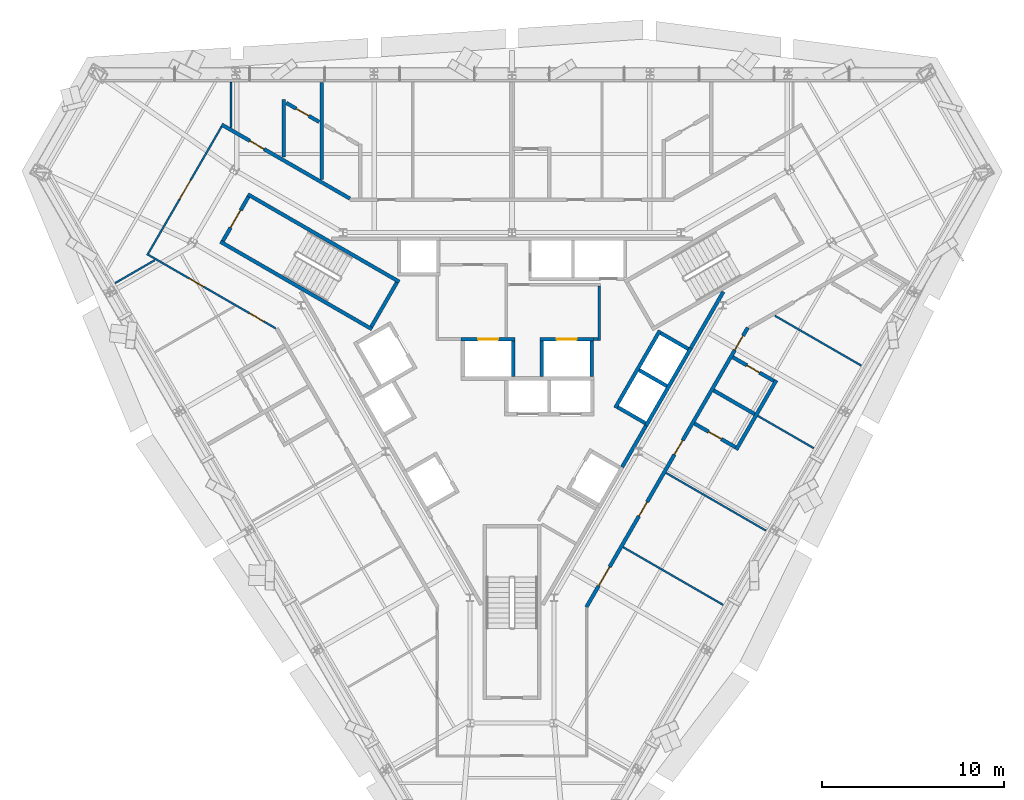
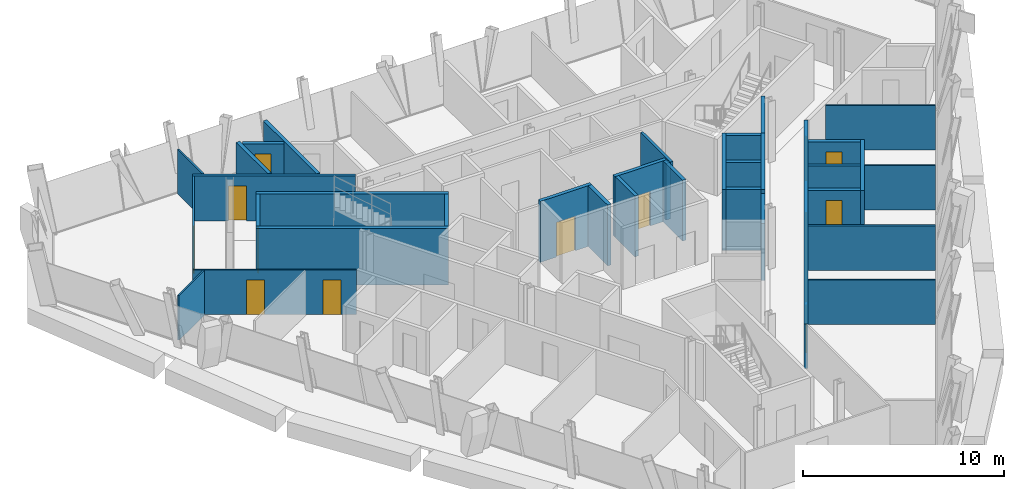
# One storey, part 7 of 11: 35 walls, 14 doors, 14 openings.
"""IFC4 building model written with IfcOpenShell, lengths in metres."""

from ifc_helpers import new_model, si_unit, direction, frame, frame_2d, origin, place, context, subcontext, project, spatial, rectangle, extrude, material, layer, layer_set, type_object, element, fill, save


model = new_model("IFC4")

# Units and contexts
model_context = context("Model", 3, precision=1e-05, world=origin(), true_north=direction((0.0, 1.0)))
body_context = subcontext(model_context, "Body", "Model", "MODEL_VIEW")
ifc_project = project(units=[si_unit("LENGTHUNIT", "METRE"), si_unit("AREAUNIT", "SQUARE_METRE"), si_unit("VOLUMEUNIT", "CUBIC_METRE"), si_unit("PLANEANGLEUNIT", "RADIAN"), si_unit("MASSUNIT", "GRAM", prefix="KILO")], contexts=[model_context])

# Site, building, storey
site_placement = place(None, origin())
site = spatial("IfcSite", under=ifc_project, at=site_placement, CompositionType="ELEMENT")
building_placement = place(site_placement, origin())
building = spatial("IfcBuilding", under=site, at=building_placement, Name="Verrane Prism Tower", CompositionType="ELEMENT")
storey_placement = place(building_placement, frame((0.0, 0.0, 156.199951171875)))
storey = spatial("IfcBuildingStorey", under=building, at=storey_placement, Name="L38", CompositionType="ELEMENT", Elevation=156.199951171875)

# Walls
ifc_material_1 = material(Name="Gypsum board partition", Category="other")
ifc_layer_1 = layer(ifc_material_1, 0.199951171875)
ifc_layer_set_1 = layer_set([ifc_layer_1], Name="CW-200 core boundary wall 2 h")
wall_type_1 = type_object("IfcWallType", Name="CW-200 core boundary wall 2 h", PredefinedType="PARTITIONING", material=ifc_layer_set_1)
wall_1_placement = place(storey_placement, frame((6.0419921875, -4.85498046875, 0.0), z_axis=(0.0, 0.0, 1.0), x_axis=(0.500252727967, 0.865879442048, 0.0)))
element("IfcWall", 1, at=wall_1_placement, inside=storey, type_object=wall_type_1, Name="Core boundary wall CW3-007", PredefinedType="PARTITIONING", context=body_context, shape_type="SweptSolid", body=[
    extrude(rectangle(XDim=2.616943359375, YDim=0.199951171875, at=frame_2d((1.30859375, 0.0))), origin(), (0.0, 0.0, 1.0), 3.449951171875),
])
wall_2_placement = place(storey_placement, frame((9.802978515625, 1.657958984375, 0.0), z_axis=(0.0, 0.0, 1.0), x_axis=(0.499943114462, 0.866058244174, 0.0)))
element("IfcWall", 2, at=wall_2_placement, inside=storey, type_object=wall_type_1, Name="Core boundary wall CW3-008", PredefinedType="PARTITIONING", context=body_context, shape_type="SweptSolid", body=[
    extrude(rectangle(XDim=3.57568359375, YDim=0.199951171875, at=frame_2d((1.787841796875, 0.0))), origin(), (0.0, 0.0, 1.0), 3.449951171875),
])

# Wall, opening, door
ifc_material_2 = material(Name="Concrete C40/50", Category="concrete")
ifc_layer_2 = layer(ifc_material_2, 0.199951171875)
ifc_layer_set_2 = layer_set([ifc_layer_2], Name="CW-200 stair core wall concrete C40/50 3 h")
wall_type_2 = type_object("IfcWallType", Name="CW-200 stair core wall concrete C40/50 3 h", PredefinedType="PARTITIONING", material=ifc_layer_set_2)
wall_3_placement = place(storey_placement, frame((-14.455322265625, 9.96240234375, 0.0), z_axis=(0.0, 0.0, 1.0), x_axis=(-0.500049511043, -0.865996816683, 0.0)))
wall_3 = element("IfcWall", 3, at=wall_3_placement, inside=storey, type_object=wall_type_2, Name="Stair 2 enclosure wall", PredefinedType="PARTITIONING", context=body_context, shape_type="SweptSolid", body=[
    extrude(rectangle(XDim=2.800048828125, YDim=0.199951171875, at=frame_2d((1.39990234375, 0.0))), origin(), (0.0, 0.0, 1.0), 3.449951171875),
])
opening_1_placement = place(wall_3_placement, frame((0.849853515625, 0.0, 0.0)))
opening_1 = element("IfcOpeningElement", 4, at=opening_1_placement, cuts=wall_3, Name="Opening D36501", PredefinedType="OPENING", context=body_context, shape_type="SweptSolid", body=[
    extrude(rectangle(XDim=1.10009765625, YDim=2.10009765625, at=frame_2d((0.550048828125, 1.050048828125))), frame((0.0, 0.10986328125, 0.0), z_axis=(0.0, -1.0, 0.0), x_axis=(1.0, 0.0, 0.0)), (0.0, 0.0, 1.0), 0.219970703125),
])
ifc_material_3 = material(Name="Timber veneered door leaf", Category="wood")
door_type_1 = type_object("IfcDoorType", Name="DR-1100x2100 FD90 single leaf stair", OperationType="NOTDEFINED", PredefinedType="DOOR", material=ifc_material_3)
door_1_placement = place(opening_1_placement, origin())
door_1 = element("IfcDoor", 5, at=door_1_placement, inside=storey, type_object=door_type_1, Name="Stair 2 door", OperationType="SINGLE_SWING_RIGHT", OverallHeight=2.10009765625, OverallWidth=1.10009765625, PredefinedType="DOOR", context=body_context, shape_type="SweptSolid", body=[
    extrude(rectangle(XDim=1.10009765625, YDim=2.10009765625, at=frame_2d((0.550048828125, 1.050048828125))), frame((0.0, 0.02490234375, 0.0), z_axis=(0.0, -1.0, 0.0), x_axis=(1.0, 0.0, 0.0)), (0.0, 0.0, 1.0), 0.050048828125),
])
fill(opening_1, door_1)

# Walls
for number, where, z_axis, x_axis, name in (
    (6, (-7.67822265625, 2.700927734375, 0.0), (0.0, 0.0, 1.0), (-0.866019993635, 0.500009370536, 0.0), "Stair 2 enclosure wall"),
    (7, (-6.17822265625, 5.299072265625, 0.0), (0.0, 0.0, 1.0), (-0.866019993635, 0.500009370536, 0.0), "Stair 2 enclosure wall"),
):
    element("IfcWall", number, at=place(storey_placement, frame(where, z_axis=z_axis, x_axis=x_axis)), inside=storey, type_object=wall_type_2, Name=name, PredefinedType="PARTITIONING", context=body_context, shape_type="SweptSolid", body=[
        extrude(rectangle(XDim=9.599853515625, YDim=0.199951171875, at=frame_2d((4.7998046875, 0.0))), origin(), (0.0, 0.0, 1.0), 3.449951171875),
    ])
wall_4_placement = place(storey_placement, frame((-6.314697265625, 5.262451171875, 0.0), z_axis=(0.0, 0.0, 1.0), x_axis=(-0.500049511043, -0.865996816683, 0.0)))
element("IfcWall", 8, at=wall_4_placement, inside=storey, type_object=wall_type_2, Name="Stair 2 enclosure wall", PredefinedType="PARTITIONING", context=body_context, shape_type="SweptSolid", body=[
    extrude(rectangle(XDim=2.800048828125, YDim=0.199951171875, at=frame_2d((1.39990234375, 0.0))), origin(), (0.0, 0.0, 1.0), 3.449951171875),
])

# Wall, opening, door
ifc_material_4 = material(Name="Gypsum board shaft wall assembly", Category="other")
ifc_layer_3 = layer(ifc_material_4, 0.199951171875)
ifc_layer_set_3 = layer_set([ifc_layer_3], Name="HW-200 lift shaft wall 2 h")
wall_type_3 = type_object("IfcWallType", Name="HW-200 lift shaft wall 2 h", PredefinedType="PARTITIONING", material=ifc_layer_set_3)
wall_5_placement = place(storey_placement, frame((-2.784912109375, 2.14990234375, 0.0), z_axis=(0.0, 0.0, 1.0), x_axis=(1.0, 0.0, 0.0)))
wall_5 = element("IfcWall", 9, at=wall_5_placement, inside=storey, type_object=wall_type_3, Name="Lift shaft wall", PredefinedType="PARTITIONING", context=body_context, shape_type="SweptSolid", body=[
    extrude(rectangle(XDim=2.949951171875, YDim=0.199951171875, at=frame_2d((1.47509765625, 0.0))), origin(), (0.0, 0.0, 1.0), 3.699951171875),
])
opening_2_placement = place(wall_5_placement, frame((0.925048828125, 0.0, 0.0)))
opening_2 = element("IfcOpeningElement", 10, at=opening_2_placement, cuts=wall_5, Name="Opening D36507", PredefinedType="OPENING", context=body_context, shape_type="SweptSolid", body=[
    extrude(rectangle(XDim=1.10009765625, YDim=2.10009765625, at=frame_2d((0.550048828125, 1.050048828125))), frame((0.0, 0.10986328125, 0.0), z_axis=(0.0, -1.0, 0.0), x_axis=(1.0, 0.0, 0.0)), (0.0, 0.0, 1.0), 0.219970703125),
])
ifc_material_5 = material(Name="Stainless steel sliding landing door", Category="steel")
door_type_2 = type_object("IfcDoorType", Name="LD-1100x2100 lift landing door FD90 sliding", OperationType="NOTDEFINED", PredefinedType="DOOR", material=ifc_material_5)
door_2_placement = place(opening_2_placement, origin())
door_2 = element("IfcDoor", 11, at=door_2_placement, inside=storey, type_object=door_type_2, Name="Fire service lift 1 landing door", OperationType="SLIDING_TO_LEFT", OverallHeight=2.10009765625, OverallWidth=1.10009765625, PredefinedType="DOOR", context=body_context, shape_type="SweptSolid", body=[
    extrude(rectangle(XDim=1.10009765625, YDim=2.10009765625, at=frame_2d((0.550048828125, 1.050048828125))), frame((0.0, 0.02490234375, 0.0), z_axis=(0.0, -1.0, 0.0), x_axis=(1.0, 0.0, 0.0)), (0.0, 0.0, 1.0), 0.050048828125),
])
fill(opening_2, door_2)

wall_6_placement = place(storey_placement, frame((1.52490234375, 2.14990234375, 0.0), z_axis=(0.0, 0.0, 1.0), x_axis=(1.0, 0.0, 0.0)))
wall_6 = element("IfcWall", 12, at=wall_6_placement, inside=storey, type_object=wall_type_3, Name="Lift shaft wall", PredefinedType="PARTITIONING", context=body_context, shape_type="SweptSolid", body=[
    extrude(rectangle(XDim=2.9501953125, YDim=0.199951171875, at=frame_2d((1.47509765625, 0.0))), origin(), (0.0, 0.0, 1.0), 3.699951171875),
])
opening_3_placement = place(wall_6_placement, frame((0.925048828125, 0.0, 0.0)))
opening_3 = element("IfcOpeningElement", 13, at=opening_3_placement, cuts=wall_6, Name="Opening D36508", PredefinedType="OPENING", context=body_context, shape_type="SweptSolid", body=[
    extrude(rectangle(XDim=1.10009765625, YDim=2.10009765625, at=frame_2d((0.550048828125, 1.050048828125))), frame((0.0, 0.10986328125, 0.0), z_axis=(0.0, -1.0, 0.0), x_axis=(1.0, 0.0, 0.0)), (0.0, 0.0, 1.0), 0.219970703125),
])
door_3_placement = place(opening_3_placement, origin())
door_3 = element("IfcDoor", 14, at=door_3_placement, inside=storey, type_object=door_type_2, Name="Fire service lift 2 landing door", OperationType="SLIDING_TO_RIGHT", OverallHeight=2.10009765625, OverallWidth=1.10009765625, PredefinedType="DOOR", context=body_context, shape_type="SweptSolid", body=[
    extrude(rectangle(XDim=1.10009765625, YDim=2.10009765625, at=frame_2d((0.550048828125, 1.050048828125))), frame((0.0, 0.02490234375, 0.0), z_axis=(0.0, -1.0, 0.0), x_axis=(1.0, 0.0, 0.0)), (0.0, 0.0, 1.0), 0.050048828125),
])
fill(opening_3, door_3)

# Walls
wall_7_placement = place(storey_placement, frame((7.351318359375, -2.587158203125, 0.0), z_axis=(0.0, 0.0, 1.0), x_axis=(0.500002801628, 0.866023786258, 0.0)))
element("IfcWall", 15, at=wall_7_placement, inside=storey, type_object=wall_type_3, Name="Lift shaft wall", PredefinedType="PARTITIONING", context=body_context, shape_type="SweptSolid", body=[
    extrude(rectangle(XDim=4.89990234375, YDim=0.199951171875, at=frame_2d((2.449951171875, 0.0))), origin(), (0.0, 0.0, 1.0), 3.699951171875),
])
wall_8_placement = place(storey_placement, frame((5.66259765625, -1.6123046875, 0.0), z_axis=(0.0, 0.0, 1.0), x_axis=(0.49998122708, 0.866036242063, 0.0)))
element("IfcWall", 16, at=wall_8_placement, inside=storey, type_object=wall_type_3, Name="Lift shaft wall", PredefinedType="PARTITIONING", context=body_context, shape_type="SweptSolid", body=[
    extrude(rectangle(XDim=4.900146484375, YDim=0.199951171875, at=frame_2d((2.4501953125, 0.0))), origin(), (0.0, 0.0, 1.0), 3.699951171875),
])
for number, where, z_axis, x_axis, name in (
    (17, (4.375, 0.10009765625, 0.0), (0.0, 0.0, 1.0), (0.0, 1.0, 0.0), "Lift shaft wall"),
    (18, (1.625, 0.10009765625, 0.0), (0.0, 0.0, 1.0), (0.0, 1.0, 0.0), "Lift shaft wall"),
    (19, (0.06494140625, 0.10009765625, 0.0), (0.0, 0.0, 1.0), (0.0, 1.0, 0.0), "Lift shaft wall"),
):
    element("IfcWall", number, at=place(storey_placement, frame(where, z_axis=z_axis, x_axis=x_axis)), inside=storey, type_object=wall_type_3, Name=name, PredefinedType="PARTITIONING", context=body_context, shape_type="SweptSolid", body=[
        extrude(rectangle(XDim=1.949951171875, YDim=0.199951171875, at=frame_2d((0.97509765625, 0.0))), origin(), (0.0, 0.0, 1.0), 3.699951171875),
    ])
wall_9_placement = place(storey_placement, frame((9.66455078125, 1.61962890625, 0.0), z_axis=(0.0, 0.0, 1.0), x_axis=(-0.866002029911, 0.500040482552, 0.0)))
element("IfcWall", 20, at=wall_9_placement, inside=storey, type_object=wall_type_3, Name="Lift shaft wall", PredefinedType="PARTITIONING", context=body_context, shape_type="SweptSolid", body=[
    extrude(rectangle(XDim=1.749755859375, YDim=0.199951171875, at=frame_2d((0.875, 0.0))), origin(), (0.0, 0.0, 1.0), 3.699951171875),
])
for number, where, z_axis, x_axis, name in (
    (21, (8.48974609375, -0.41552734375, 0.0), (0.0, 0.0, 1.0), (-0.866036909293, 0.499980071345, 0.0), "Lift shaft wall"),
    (22, (7.314697265625, -2.45068359375, 0.0), (0.0, 0.0, 1.0), (-0.866036909293, 0.499980071345, 0.0), "Lift shaft wall"),
):
    element("IfcWall", number, at=place(storey_placement, frame(where, z_axis=z_axis, x_axis=x_axis)), inside=storey, type_object=wall_type_3, Name=name, PredefinedType="PARTITIONING", context=body_context, shape_type="SweptSolid", body=[
        extrude(rectangle(XDim=1.75, YDim=0.199951171875, at=frame_2d((0.875, 0.0))), origin(), (0.0, 0.0, 1.0), 3.699951171875),
    ])
ifc_material_6 = material(Name="Gypsum board partition", Category="other")
ifc_layer_4 = layer(ifc_material_6, 0.14990234375)
ifc_layer_set_4 = layer_set([ifc_layer_4], Name="LF-150 firefighting lobby wall 1 h")
wall_type_4 = type_object("IfcWallType", Name="LF-150 firefighting lobby wall 1 h", PredefinedType="PARTITIONING", material=ifc_layer_set_4)
wall_10_placement = place(storey_placement, frame((4.47705078125, 2.159912109375, 0.0), z_axis=(0.0, 0.0, 1.0), x_axis=(1.0, 0.0, 0.0)))
element("IfcWall", 23, at=wall_10_placement, inside=storey, type_object=wall_type_4, Name="Firefighting lobby wall LF1-006", PredefinedType="PARTITIONING", context=body_context, shape_type="SweptSolid", body=[
    extrude(rectangle(XDim=0.238037109375, YDim=0.14990234375, at=frame_2d((0.119140625, 0.0))), origin(), (0.0, 0.0, 1.0), 3.449951171875),
])
wall_11_placement = place(storey_placement, frame((4.7900390625, 2.0849609375, 0.0), z_axis=(0.0, 0.0, 1.0), x_axis=(0.0, 1.0, 0.0)))
element("IfcWall", 24, at=wall_11_placement, inside=storey, type_object=wall_type_4, Name="Firefighting lobby wall LF1-007", PredefinedType="PARTITIONING", context=body_context, shape_type="SweptSolid", body=[
    extrude(rectangle(XDim=2.97998046875, YDim=0.14990234375, at=frame_2d((1.489990234375, 0.0))), origin(), (0.0, 0.0, 1.0), 3.449951171875),
])
ifc_material_7 = material(Name="Gypsum board partition", Category="other")
ifc_layer_5 = layer(ifc_material_7, 0.10009765625)
ifc_layer_set_5 = layer_set([ifc_layer_5], Name="PW-100 room partition")
wall_type_5 = type_object("IfcWallType", Name="PW-100 room partition", PredefinedType="PARTITIONING", material=ifc_layer_set_5)
wall_12_placement = place(storey_placement, frame((-21.7666015625, 5.22998046875, 0.0), z_axis=(0.0, 0.0, 1.0), x_axis=(0.865868809172, 0.50027113179, 0.0)))
element("IfcWall", 25, at=wall_12_placement, inside=storey, type_object=wall_type_5, Name="Room partition 001", PredefinedType="PARTITIONING", context=body_context, shape_type="SweptSolid", body=[
    extrude(rectangle(XDim=2.51611328125, YDim=0.10009765625, at=frame_2d((1.258056640625, 0.0))), origin(), (0.0, 0.0, 1.0), 2.713134765625),
])

# Wall, opening, door
wall_13_placement = place(storey_placement, frame((-19.955078125, 6.84423828125, 0.0), z_axis=(0.0, 0.0, 1.0), x_axis=(0.500422653123, 0.865781247337, 0.0)))
wall_13 = element("IfcWall", 26, at=wall_13_placement, inside=storey, type_object=wall_type_5, Name="Room partition 002", PredefinedType="PARTITIONING", context=body_context, shape_type="SweptSolid", body=[
    extrude(rectangle(XDim=8.04736328125, YDim=0.10009765625, at=frame_2d((4.023681640625, 0.0))), origin(), (0.0, 0.0, 1.0), 2.713134765625),
])
opening_4_placement = place(wall_13_placement, frame((3.449951171875, 0.0, 0.0)))
opening_4 = element("IfcOpeningElement", 27, at=opening_4_placement, cuts=wall_13, Name="Opening D36020", PredefinedType="OPENING", context=body_context, shape_type="SweptSolid", body=[
    extrude(rectangle(XDim=1.199951171875, YDim=2.10009765625, at=frame_2d((0.60009765625, 1.050048828125))), frame((0.0, 0.06005859375, 0.0), z_axis=(0.0, -1.0, 0.0), x_axis=(1.0, 0.0, 0.0)), (0.0, 0.0, 1.0), 0.1201171875),
])
ifc_material_8 = material(Name="Timber veneered door leaf", Category="wood")
door_type_3 = type_object("IfcDoorType", Name="DR-1200x2100 single leaf unit", OperationType="NOTDEFINED", PredefinedType="DOOR", material=ifc_material_8)
door_4_placement = place(opening_4_placement, origin())
door_4 = element("IfcDoor", 28, at=door_4_placement, inside=storey, type_object=door_type_3, Name="Living And Dining Room door", OperationType="SINGLE_SWING_RIGHT", OverallHeight=2.10009765625, OverallWidth=1.199951171875, PredefinedType="DOOR", context=body_context, shape_type="SweptSolid", body=[
    extrude(rectangle(XDim=1.199951171875, YDim=2.10009765625, at=frame_2d((0.60009765625, 1.050048828125))), frame((0.0, 0.02490234375, 0.0), z_axis=(0.0, -1.0, 0.0), x_axis=(1.0, 0.0, 0.0)), (0.0, 0.0, 1.0), 0.050048828125),
])
fill(opening_4, door_4)

# Wall, openings, doors
wall_14_placement = place(storey_placement, frame((-12.95166015625, 2.744384765625, 0.0), z_axis=(0.0, 0.0, 1.0), x_axis=(-0.86608949446, 0.499888975259, 0.0)))
wall_14 = element("IfcWall", 29, at=wall_14_placement, inside=storey, type_object=wall_type_5, Name="Room partition 003", PredefinedType="PARTITIONING", context=body_context, shape_type="SweptSolid", body=[
    extrude(rectangle(XDim=8.164794921875, YDim=0.10009765625, at=frame_2d((4.08251953125, 0.0))), origin(), (0.0, 0.0, 1.0), 2.713134765625),
])
opening_5_placement = place(wall_14_placement, frame((4.575927734375, 0.0, 0.0)))
opening_5 = element("IfcOpeningElement", 30, at=opening_5_placement, cuts=wall_14, Name="Opening D36021", PredefinedType="OPENING", context=body_context, shape_type="SweptSolid", body=[
    extrude(rectangle(XDim=0.89990234375, YDim=2.10009765625, at=frame_2d((0.449951171875, 1.050048828125))), frame((0.0, 0.06005859375, 0.0), z_axis=(0.0, -1.0, 0.0), x_axis=(1.0, 0.0, 0.0)), (0.0, 0.0, 1.0), 0.1201171875),
])
opening_6_placement = place(wall_14_placement, frame((0.77197265625, 0.0, 0.0)))
opening_6 = element("IfcOpeningElement", 31, at=opening_6_placement, cuts=wall_14, Name="Opening D36022", PredefinedType="OPENING", context=body_context, shape_type="SweptSolid", body=[
    extrude(rectangle(XDim=0.89990234375, YDim=2.10009765625, at=frame_2d((0.449951171875, 1.050048828125))), frame((0.0, 0.06005859375, 0.0), z_axis=(0.0, -1.0, 0.0), x_axis=(1.0, 0.0, 0.0)), (0.0, 0.0, 1.0), 0.1201171875),
])
ifc_material_9 = material(Name="Timber veneered door leaf", Category="wood")
door_type_4 = type_object("IfcDoorType", Name="DR-900x2100 single leaf inner", OperationType="NOTDEFINED", PredefinedType="DOOR", material=ifc_material_9)
door_5_placement = place(opening_6_placement, origin())
door_5 = element("IfcDoor", 32, at=door_5_placement, inside=storey, type_object=door_type_4, Name="Master Bedroom door", OperationType="SINGLE_SWING_LEFT", OverallHeight=2.10009765625, OverallWidth=0.89990234375, PredefinedType="DOOR", context=body_context, shape_type="SweptSolid", body=[
    extrude(rectangle(XDim=0.89990234375, YDim=2.10009765625, at=frame_2d((0.449951171875, 1.050048828125))), frame((0.0, 0.02490234375, 0.0), z_axis=(0.0, -1.0, 0.0), x_axis=(1.0, 0.0, 0.0)), (0.0, 0.0, 1.0), 0.050048828125),
])
fill(opening_6, door_5)
ifc_material_10 = material(Name="Timber veneered door leaf", Category="wood")
door_type_5 = type_object("IfcDoorType", Name="DR-900x2100 single leaf unit", OperationType="NOTDEFINED", PredefinedType="DOOR", material=ifc_material_10)
door_6_placement = place(opening_5_placement, origin())
door_6 = element("IfcDoor", 33, at=door_6_placement, inside=storey, type_object=door_type_5, Name="Kitchen door", OperationType="SINGLE_SWING_RIGHT", OverallHeight=2.10009765625, OverallWidth=0.89990234375, PredefinedType="DOOR", context=body_context, shape_type="SweptSolid", body=[
    extrude(rectangle(XDim=0.89990234375, YDim=2.10009765625, at=frame_2d((0.449951171875, 1.050048828125))), frame((0.0, 0.02490234375, 0.0), z_axis=(0.0, -1.0, 0.0), x_axis=(1.0, 0.0, 0.0)), (0.0, 0.0, 1.0), 0.050048828125),
])
fill(opening_5, door_6)

# Walls
wall_15_placement = place(storey_placement, frame((-15.4130859375, 13.7744140625, 0.0), z_axis=(0.0, 0.0, 1.0), x_axis=(0.0, 1.0, 0.0)))
element("IfcWall", 34, at=wall_15_placement, inside=storey, type_object=wall_type_5, Name="Room partition 007", PredefinedType="PARTITIONING", context=body_context, shape_type="SweptSolid", body=[
    extrude(rectangle(XDim=2.460693359375, YDim=0.10009765625, at=frame_2d((1.23046875, 0.0))), origin(), (0.0, 0.0, 1.0), 2.713134765625),
])
for number, where, z_axis, x_axis, name in (
    (35, (6.093505859375, -9.2490234375, 0.0), (0.0, 0.0, 1.0), (0.866030886774, -0.499990503064, 0.0), "Room partition 033"),
    (36, (8.444580078125, -5.177001953125, 0.0), (0.0, 0.0, 1.0), (0.866004557827, -0.500036104519, 0.0), "Room partition 036"),
):
    element("IfcWall", number, at=place(storey_placement, frame(where, z_axis=z_axis, x_axis=x_axis)), inside=storey, type_object=wall_type_5, Name=name, PredefinedType="PARTITIONING", context=body_context, shape_type="SweptSolid", body=[
        extrude(rectangle(XDim=6.33349609375, YDim=0.10009765625, at=frame_2d((3.166748046875, 0.0))), origin(), (0.0, 0.0, 1.0), 2.713134765625),
    ])
wall_16_placement = place(storey_placement, frame((13.481689453125, -2.052001953125, 0.0), z_axis=(0.0, 0.0, 1.0), x_axis=(0.865998048674, -0.500047377448, 0.0)))
element("IfcWall", 37, at=wall_16_placement, inside=storey, type_object=wall_type_5, Name="Room partition 044", PredefinedType="PARTITIONING", context=body_context, shape_type="SweptSolid", body=[
    extrude(rectangle(XDim=3.533935546875, YDim=0.10009765625, at=frame_2d((1.76708984375, 0.0))), origin(), (0.0, 0.0, 1.0), 2.713134765625),
])
wall_17_placement = place(storey_placement, frame((14.412109375, 3.44384765625, 0.0), z_axis=(0.0, 0.0, 1.0), x_axis=(0.866045268016, -0.499965592563, 0.0)))
element("IfcWall", 38, at=wall_17_placement, inside=storey, type_object=wall_type_5, Name="Room partition 045", PredefinedType="PARTITIONING", context=body_context, shape_type="SweptSolid", body=[
    extrude(rectangle(XDim=5.47607421875, YDim=0.10009765625, at=frame_2d((2.738037109375, 0.0))), origin(), (0.0, 0.0, 1.0), 2.713134765625),
])

# Wall, opening, door
ifc_material_11 = material(Name="Gypsum board partition", Category="other")
ifc_layer_6 = layer(ifc_material_11, 0.199951171875)
ifc_layer_set_6 = layer_set([ifc_layer_6], Name="PW-200 plumbing wall")
wall_type_6 = type_object("IfcWallType", Name="PW-200 plumbing wall", PredefinedType="PARTITIONING", material=ifc_layer_set_6)
wall_18_placement = place(storey_placement, frame((-15.92138671875, 13.923095703125, 0.0), z_axis=(0.0, 0.0, 1.0), x_axis=(0.866079355551, -0.499906541154, 0.0)))
wall_18 = element("IfcWall", 39, at=wall_18_placement, inside=storey, type_object=wall_type_6, Name="Plumbing wall 006", PredefinedType="PARTITIONING", context=body_context, shape_type="SweptSolid", body=[
    extrude(rectangle(XDim=8.11279296875, YDim=0.199951171875, at=frame_2d((4.056396484375, 0.0))), origin(), (0.0, 0.0, 1.0), 2.713134765625),
])
opening_7_placement = place(wall_18_placement, frame((1.787109375, 0.0, 0.0)))
opening_7 = element("IfcOpeningElement", 40, at=opening_7_placement, cuts=wall_18, Name="Opening D36018", PredefinedType="OPENING", context=body_context, shape_type="SweptSolid", body=[
    extrude(rectangle(XDim=0.89990234375, YDim=2.10009765625, at=frame_2d((0.449951171875, 1.050048828125))), frame((0.0, 0.10986328125, 0.0), z_axis=(0.0, -1.0, 0.0), x_axis=(1.0, 0.0, 0.0)), (0.0, 0.0, 1.0), 0.219970703125),
])
door_7_placement = place(opening_7_placement, origin())
door_7 = element("IfcDoor", 41, at=door_7_placement, inside=storey, type_object=door_type_4, Name="Bedroom door", OperationType="SINGLE_SWING_RIGHT", OverallHeight=2.10009765625, OverallWidth=0.89990234375, PredefinedType="DOOR", context=body_context, shape_type="SweptSolid", body=[
    extrude(rectangle(XDim=0.89990234375, YDim=2.10009765625, at=frame_2d((0.449951171875, 1.050048828125))), frame((0.0, 0.02490234375, 0.0), z_axis=(0.0, -1.0, 0.0), x_axis=(1.0, 0.0, 0.0)), (0.0, 0.0, 1.0), 0.050048828125),
])
fill(opening_7, door_7)

# Wall
wall_19_placement = place(storey_placement, frame((-12.52490234375, 12.13623046875, 0.0), z_axis=(0.0, 0.0, 1.0), x_axis=(0.0, 1.0, 0.0)))
element("IfcWall", 42, at=wall_19_placement, inside=storey, type_object=wall_type_6, Name="Plumbing wall 013", PredefinedType="PARTITIONING", context=body_context, shape_type="SweptSolid", body=[
    extrude(rectangle(XDim=3.15966796875, YDim=0.199951171875, at=frame_2d((1.579833984375, 0.0))), origin(), (0.0, 0.0, 1.0), 2.713134765625),
])

# Wall, opening, door
wall_20_placement = place(storey_placement, frame((-10.574951171875, 14.070556640625, 0.0), z_axis=(0.0, 0.0, 1.0), x_axis=(-0.866084027935, 0.499898446243, 0.0)))
wall_20 = element("IfcWall", 43, at=wall_20_placement, inside=storey, type_object=wall_type_6, Name="Plumbing wall 014", PredefinedType="PARTITIONING", context=body_context, shape_type="SweptSolid", body=[
    extrude(rectangle(XDim=2.08154296875, YDim=0.199951171875, at=frame_2d((1.040771484375, 0.0))), origin(), (0.0, 0.0, 1.0), 2.713134765625),
])
opening_8_placement = place(wall_20_placement, frame((0.6513671875, 0.0, 0.0)))
opening_8 = element("IfcOpeningElement", 44, at=opening_8_placement, cuts=wall_20, Name="Opening D36019", PredefinedType="OPENING", context=body_context, shape_type="SweptSolid", body=[
    extrude(rectangle(XDim=0.800048828125, YDim=2.10009765625, at=frame_2d((0.39990234375, 1.050048828125))), frame((0.0, 0.10986328125, 0.0), z_axis=(0.0, -1.0, 0.0), x_axis=(1.0, 0.0, 0.0)), (0.0, 0.0, 1.0), 0.219970703125),
])
ifc_material_12 = material(Name="Timber veneered door leaf", Category="wood")
door_type_6 = type_object("IfcDoorType", Name="DR-800x2100 single leaf bath", OperationType="NOTDEFINED", PredefinedType="DOOR", material=ifc_material_12)
door_8_placement = place(opening_8_placement, origin())
door_8 = element("IfcDoor", 45, at=door_8_placement, inside=storey, type_object=door_type_6, Name="Bathroom door", OperationType="SINGLE_SWING_RIGHT", OverallHeight=2.10009765625, OverallWidth=0.800048828125, PredefinedType="DOOR", context=body_context, shape_type="SweptSolid", body=[
    extrude(rectangle(XDim=0.800048828125, YDim=2.10009765625, at=frame_2d((0.39990234375, 1.050048828125))), frame((0.0, 0.02490234375, 0.0), z_axis=(0.0, -1.0, 0.0), x_axis=(1.0, 0.0, 0.0)), (0.0, 0.0, 1.0), 0.050048828125),
])
fill(opening_8, door_8)

# Wall
wall_21_placement = place(storey_placement, frame((-10.425048828125, 10.924072265625, 0.0), z_axis=(0.0, 0.0, 1.0), x_axis=(0.0, 1.0, 0.0)))
element("IfcWall", 46, at=wall_21_placement, inside=storey, type_object=wall_type_6, Name="Plumbing wall 017", PredefinedType="PARTITIONING", context=body_context, shape_type="SweptSolid", body=[
    extrude(rectangle(XDim=5.31103515625, YDim=0.199951171875, at=frame_2d((2.655517578125, 0.0))), origin(), (0.0, 0.0, 1.0), 2.713134765625),
])

# Wall, openings, doors
wall_22_placement = place(storey_placement, frame((12.927978515625, 2.78857421875, 0.0), z_axis=(0.0, 0.0, 1.0), x_axis=(-0.499997769292, -0.86602669168, 0.0)))
wall_22 = element("IfcWall", 47, at=wall_22_placement, inside=storey, type_object=wall_type_6, Name="Plumbing wall 031", PredefinedType="PARTITIONING", context=body_context, shape_type="SweptSolid", body=[
    extrude(rectangle(XDim=17.7060546875, YDim=0.199951171875, at=frame_2d((8.85302734375, 0.0))), origin(), (0.0, 0.0, 1.0), 2.713134765625),
])
opening_9_placement = place(wall_22_placement, frame((15.156005859375, 0.0, 0.0)))
opening_9 = element("IfcOpeningElement", 48, at=opening_9_placement, cuts=wall_22, Name="Opening D36001", PredefinedType="OPENING", context=body_context, shape_type="SweptSolid", body=[
    extrude(rectangle(XDim=1.199951171875, YDim=2.10009765625, at=frame_2d((0.60009765625, 1.050048828125))), frame((0.0, 0.10986328125, 0.0), z_axis=(0.0, -1.0, 0.0), x_axis=(1.0, 0.0, 0.0)), (0.0, 0.0, 1.0), 0.219970703125),
])
opening_10_placement = place(wall_22_placement, frame((11.0419921875, 0.0, 0.0)))
opening_10 = element("IfcOpeningElement", 49, at=opening_10_placement, cuts=wall_22, Name="Opening D36002", PredefinedType="OPENING", context=body_context, shape_type="SweptSolid", body=[
    extrude(rectangle(XDim=0.89990234375, YDim=2.10009765625, at=frame_2d((0.449951171875, 1.050048828125))), frame((0.0, 0.10986328125, 0.0), z_axis=(0.0, -1.0, 0.0), x_axis=(1.0, 0.0, 0.0)), (0.0, 0.0, 1.0), 0.219970703125),
])
opening_11_placement = place(wall_22_placement, frame((7.14013671875, 0.0, 0.0)))
opening_11 = element("IfcOpeningElement", 50, at=opening_11_placement, cuts=wall_22, Name="Opening D36003", PredefinedType="OPENING", context=body_context, shape_type="SweptSolid", body=[
    extrude(rectangle(XDim=0.89990234375, YDim=2.10009765625, at=frame_2d((0.449951171875, 1.050048828125))), frame((0.0, 0.10986328125, 0.0), z_axis=(0.0, -1.0, 0.0), x_axis=(1.0, 0.0, 0.0)), (0.0, 0.0, 1.0), 0.219970703125),
])
opening_12_placement = place(wall_22_placement, frame((0.51513671875, 0.0, 0.0)))
opening_12 = element("IfcOpeningElement", 51, at=opening_12_placement, cuts=wall_22, Name="Opening D36005", PredefinedType="OPENING", context=body_context, shape_type="SweptSolid", body=[
    extrude(rectangle(XDim=0.89990234375, YDim=2.10009765625, at=frame_2d((0.449951171875, 1.050048828125))), frame((0.0, 0.10986328125, 0.0), z_axis=(0.0, -1.0, 0.0), x_axis=(1.0, 0.0, 0.0)), (0.0, 0.0, 1.0), 0.219970703125),
])
door_9_placement = place(opening_9_placement, origin())
door_9 = element("IfcDoor", 52, at=door_9_placement, inside=storey, type_object=door_type_3, Name="Living And Dining Room door", OperationType="SINGLE_SWING_RIGHT", OverallHeight=2.10009765625, OverallWidth=1.199951171875, PredefinedType="DOOR", context=body_context, shape_type="SweptSolid", body=[
    extrude(rectangle(XDim=1.199951171875, YDim=2.10009765625, at=frame_2d((0.60009765625, 1.050048828125))), frame((0.0, 0.02490234375, 0.0), z_axis=(0.0, -1.0, 0.0), x_axis=(1.0, 0.0, 0.0)), (0.0, 0.0, 1.0), 0.050048828125),
])
fill(opening_9, door_9)
door_10_placement = place(opening_11_placement, origin())
door_10 = element("IfcDoor", 53, at=door_10_placement, inside=storey, type_object=door_type_4, Name="Bedroom door", OperationType="SINGLE_SWING_RIGHT", OverallHeight=2.10009765625, OverallWidth=0.89990234375, PredefinedType="DOOR", context=body_context, shape_type="SweptSolid", body=[
    extrude(rectangle(XDim=0.89990234375, YDim=2.10009765625, at=frame_2d((0.449951171875, 1.050048828125))), frame((0.0, 0.02490234375, 0.0), z_axis=(0.0, -1.0, 0.0), x_axis=(1.0, 0.0, 0.0)), (0.0, 0.0, 1.0), 0.050048828125),
])
fill(opening_11, door_10)
door_11_placement = place(opening_12_placement, origin())
door_11 = element("IfcDoor", 54, at=door_11_placement, inside=storey, type_object=door_type_4, Name="Bedroom door", OperationType="SINGLE_SWING_RIGHT", OverallHeight=2.10009765625, OverallWidth=0.89990234375, PredefinedType="DOOR", context=body_context, shape_type="SweptSolid", body=[
    extrude(rectangle(XDim=0.89990234375, YDim=2.10009765625, at=frame_2d((0.449951171875, 1.050048828125))), frame((0.0, 0.02490234375, 0.0), z_axis=(0.0, -1.0, 0.0), x_axis=(1.0, 0.0, 0.0)), (0.0, 0.0, 1.0), 0.050048828125),
])
fill(opening_12, door_11)
door_12_placement = place(opening_10_placement, origin())
door_12 = element("IfcDoor", 55, at=door_12_placement, inside=storey, type_object=door_type_5, Name="Kitchen door", OperationType="SINGLE_SWING_LEFT", OverallHeight=2.10009765625, OverallWidth=0.89990234375, PredefinedType="DOOR", context=body_context, shape_type="SweptSolid", body=[
    extrude(rectangle(XDim=0.89990234375, YDim=2.10009765625, at=frame_2d((0.449951171875, 1.050048828125))), frame((0.0, 0.02490234375, 0.0), z_axis=(0.0, -1.0, 0.0), x_axis=(1.0, 0.0, 0.0)), (0.0, 0.0, 1.0), 0.050048828125),
])
fill(opening_10, door_12)

# Wall, opening, door
wall_23_placement = place(storey_placement, frame((10.010986328125, -2.473388671875, 0.0), z_axis=(0.0, 0.0, 1.0), x_axis=(0.866005410122, -0.500034628441, 0.0)))
wall_23 = element("IfcWall", 56, at=wall_23_placement, inside=storey, type_object=wall_type_6, Name="Plumbing wall 038", PredefinedType="PARTITIONING", context=body_context, shape_type="SweptSolid", body=[
    extrude(rectangle(XDim=2.594970703125, YDim=0.199951171875, at=frame_2d((1.29736328125, 0.0))), origin(), (0.0, 0.0, 1.0), 2.713134765625),
])
opening_13_placement = place(wall_23_placement, frame((0.89501953125, 0.0, 0.0)))
opening_13 = element("IfcOpeningElement", 57, at=opening_13_placement, cuts=wall_23, Name="Opening D36004", PredefinedType="OPENING", context=body_context, shape_type="SweptSolid", body=[
    extrude(rectangle(XDim=0.800048828125, YDim=2.10009765625, at=frame_2d((0.39990234375, 1.050048828125))), frame((0.0, 0.10986328125, 0.0), z_axis=(0.0, -1.0, 0.0), x_axis=(1.0, 0.0, 0.0)), (0.0, 0.0, 1.0), 0.219970703125),
])
door_13_placement = place(opening_13_placement, origin())
door_13 = element("IfcDoor", 58, at=door_13_placement, inside=storey, type_object=door_type_6, Name="Bathroom door", OperationType="SINGLE_SWING_RIGHT", OverallHeight=2.10009765625, OverallWidth=0.800048828125, PredefinedType="DOOR", context=body_context, shape_type="SweptSolid", body=[
    extrude(rectangle(XDim=0.800048828125, YDim=2.10009765625, at=frame_2d((0.39990234375, 1.050048828125))), frame((0.0, 0.02490234375, 0.0), z_axis=(0.0, -1.0, 0.0), x_axis=(1.0, 0.0, 0.0)), (0.0, 0.0, 1.0), 0.050048828125),
])
fill(opening_13, door_13)

# Wall
wall_24_placement = place(storey_placement, frame((11.06103515625, -0.654541015625, 0.0), z_axis=(0.0, 0.0, 1.0), x_axis=(0.866046148833, -0.4999640668, 0.0)))
element("IfcWall", 59, at=wall_24_placement, inside=storey, type_object=wall_type_6, Name="Plumbing wall 040", PredefinedType="PARTITIONING", context=body_context, shape_type="SweptSolid", body=[
    extrude(rectangle(XDim=2.594970703125, YDim=0.199951171875, at=frame_2d((1.29736328125, 0.0))), origin(), (0.0, 0.0, 1.0), 2.713134765625),
])

# Wall, opening, door
wall_25_placement = place(storey_placement, frame((14.3583984375, -0.133056640625, 0.0), z_axis=(0.0, 0.0, 1.0), x_axis=(-0.866028930478, 0.499993891537, 0.0)))
wall_25 = element("IfcWall", 60, at=wall_25_placement, inside=storey, type_object=wall_type_6, Name="Plumbing wall 041", PredefinedType="PARTITIONING", context=body_context, shape_type="SweptSolid", body=[
    extrude(rectangle(XDim=2.59521484375, YDim=0.199951171875, at=frame_2d((1.297607421875, 0.0))), origin(), (0.0, 0.0, 1.0), 2.713134765625),
])
opening_14_placement = place(wall_25_placement, frame((0.900146484375, 0.0, 0.0)))
opening_14 = element("IfcOpeningElement", 61, at=opening_14_placement, cuts=wall_25, Name="Opening D36006", PredefinedType="OPENING", context=body_context, shape_type="SweptSolid", body=[
    extrude(rectangle(XDim=0.800048828125, YDim=2.10009765625, at=frame_2d((0.39990234375, 1.050048828125))), frame((0.0, 0.10986328125, 0.0), z_axis=(0.0, -1.0, 0.0), x_axis=(1.0, 0.0, 0.0)), (0.0, 0.0, 1.0), 0.219970703125),
])
door_14_placement = place(opening_14_placement, origin())
door_14 = element("IfcDoor", 62, at=door_14_placement, inside=storey, type_object=door_type_6, Name="Bathroom door", OperationType="SINGLE_SWING_LEFT", OverallHeight=2.10009765625, OverallWidth=0.800048828125, PredefinedType="DOOR", context=body_context, shape_type="SweptSolid", body=[
    extrude(rectangle(XDim=0.800048828125, YDim=2.10009765625, at=frame_2d((0.39990234375, 1.050048828125))), frame((0.0, 0.02490234375, 0.0), z_axis=(0.0, -1.0, 0.0), x_axis=(1.0, 0.0, 0.0)), (0.0, 0.0, 1.0), 0.050048828125),
])
fill(opening_14, door_14)

# Wall
wall_26_placement = place(storey_placement, frame((12.294921875, -3.90771484375, 0.0), z_axis=(0.0, 0.0, 1.0), x_axis=(0.499916153699, 0.866073807057, 0.0)))
element("IfcWall", 63, at=wall_26_placement, inside=storey, type_object=wall_type_6, Name="Plumbing wall 042", PredefinedType="PARTITIONING", context=body_context, shape_type="SweptSolid", body=[
    extrude(rectangle(XDim=4.400634765625, YDim=0.199951171875, at=frame_2d((2.2001953125, 0.0))), origin(), (0.0, 0.0, 1.0), 2.713134765625),
])

save(model, "model.ifc")
